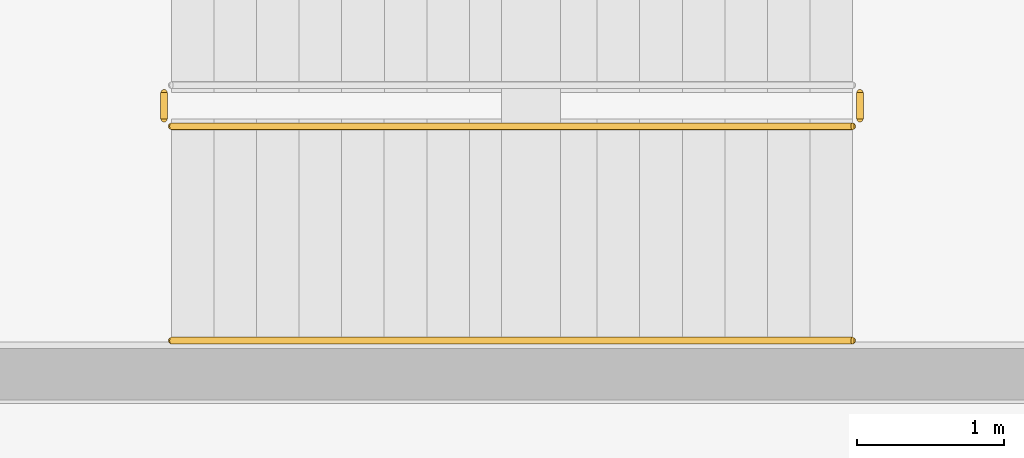
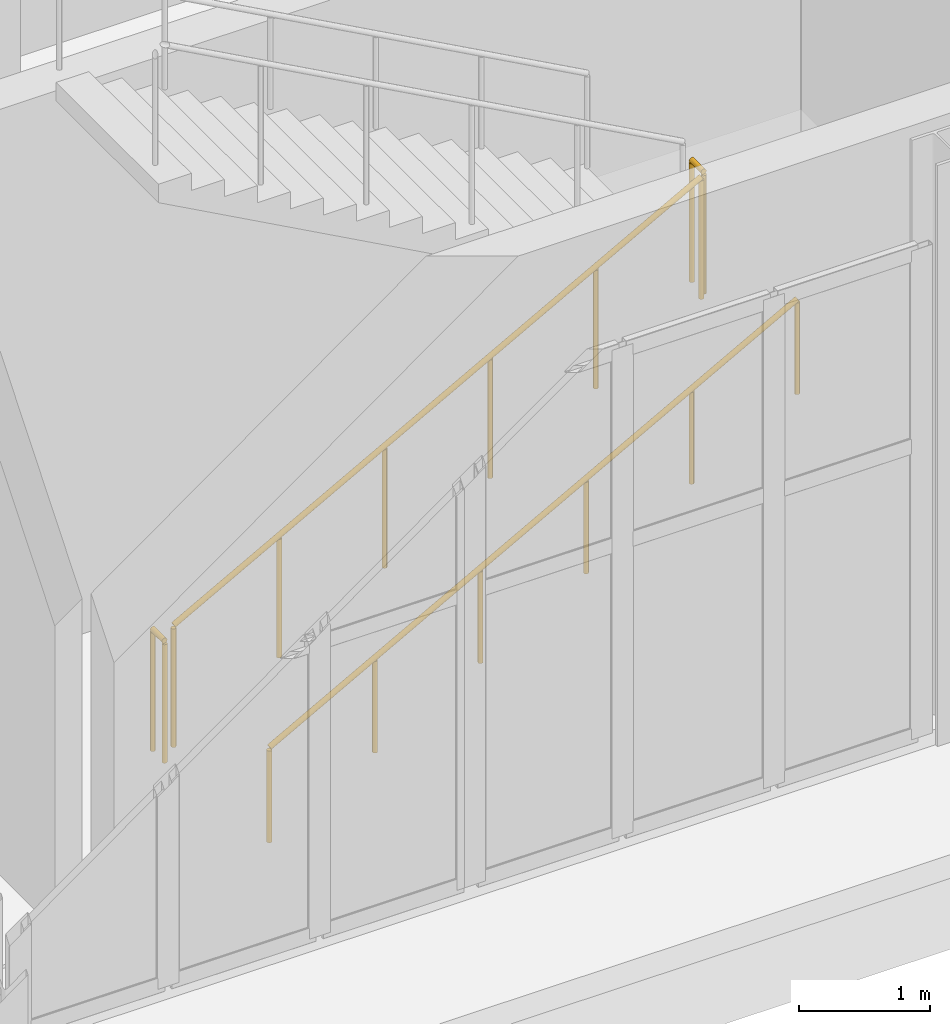
# One storey, part 88 of 95: 4 railings.
"""IFC4 building model written with IfcOpenShell, lengths in metres."""

from ifc_helpers import new_model, si_unit, direction, frame, origin, origin_2d, place, context, subcontext, project, spatial, circle, extrude, material, type_object, element, save


model = new_model("IFC4")

# Units and contexts
model_context = context("Model", 3, precision=1e-05, world=origin(), true_north=direction((0.0, 1.0)))
body_context = subcontext(model_context, "Body", "Model", "MODEL_VIEW")
ifc_project = project(units=[si_unit("LENGTHUNIT", "METRE"), si_unit("AREAUNIT", "SQUARE_METRE"), si_unit("VOLUMEUNIT", "CUBIC_METRE"), si_unit("PLANEANGLEUNIT", "RADIAN"), si_unit("MASSUNIT", "GRAM", prefix="KILO")], contexts=[model_context])

# Site, building, storey
site_placement = place(None, origin())
site = spatial("IfcSite", under=ifc_project, at=site_placement, CompositionType="ELEMENT")
building_placement = place(site_placement, origin())
building = spatial("IfcBuilding", under=site, at=building_placement, Name="Shengluoqiao Park Theatre", CompositionType="ELEMENT")
storey_placement = place(building_placement, origin())
storey = spatial("IfcBuildingStorey", under=building, at=storey_placement, Name="L00", CompositionType="ELEMENT", Elevation=0.0)

# Railings
ifc_material_1 = material(Name="Painted steel", Category="steel")
railing_type_1 = type_object("IfcRailingType", Name="INT-RL-STGRD", PredefinedType="GUARDRAIL", material=ifc_material_1)
railing_1_placement = place(storey_placement, frame((72.64990234375, 70.909912109375, 0.158935546875)))
element("IfcRailing", 1, at=railing_1_placement, inside=storey, type_object=railing_type_1, Name="L00 ST-11 stair guard 1", PredefinedType="GUARDRAIL", context=body_context, shape_type="SweptSolid", body=[
    extrude(circle(Radius=0.02392578125, at=origin_2d()), frame((0.0, 0.0, 1.1259765625), z_axis=(0.877097193626, 0.0, 0.480312932298), x_axis=(0.0, 1.0, 0.0)), (0.0, 0.0, 1.0), 5.290283203125),
    extrude(circle(Radius=0.02099609375, at=origin_2d()), origin(), (0.0, 0.0, 1.0), 1.101806640625),
    extrude(circle(Radius=0.02099609375, at=origin_2d()), frame((0.927978515625, 0.0, 0.50830078125)), (0.0, 0.0, 1.0), 1.101806640625),
    extrude(circle(Radius=0.02099609375, at=origin_2d()), frame((1.85595703125, 0.0, 1.016357421875)), (0.0, 0.0, 1.0), 1.101806640625),
    extrude(circle(Radius=0.02099609375, at=origin_2d()), frame((2.7841796875, 0.0, 1.524658203125)), (0.0, 0.0, 1.0), 1.101806640625),
    extrude(circle(Radius=0.02099609375, at=origin_2d()), frame((3.712158203125, 0.0, 2.03271484375)), (0.0, 0.0, 1.0), 1.101806640625),
    extrude(circle(Radius=0.02099609375, at=origin_2d()), frame((4.64013671875, 0.0, 2.541015625)), (0.0, 0.0, 1.0), 1.101806640625),
])
for number, where, name in (
    (2, (77.340087890625, 70.9599609375, 2.699951171875), "L00 ST-11 stair guard 2"),
    (3, (72.60009765625, 70.9599609375, 0.0), "L00 ST-11 stair guard 4"),
):
    element("IfcRailing", number, at=place(storey_placement, frame(where)), inside=storey, type_object=railing_type_1, Name=name, PredefinedType="GUARDRAIL", context=body_context, shape_type="SweptSolid", body=[
        extrude(circle(Radius=0.02392578125, at=origin_2d()), frame((0.0, 0.0, 1.1259765625), z_axis=(0.0, 1.0, 0.0), x_axis=(-1.0, 0.0, 0.0)), (0.0, 0.0, 1.0), 0.179931640625),
        extrude(circle(Radius=0.02099609375, at=origin_2d()), origin(), (0.0, 0.0, 1.0), 1.101806640625),
        extrude(circle(Radius=0.02099609375, at=origin_2d()), frame((0.0, 0.179931640625, 0.0)), (0.0, 0.0, 1.0), 1.101806640625),
    ])
ifc_material_2 = material(Name="Stainless steel 304", Category="steel")
railing_type_2 = type_object("IfcRailingType", Name="INT-RL-STHR", PredefinedType="HANDRAIL", material=ifc_material_2)
railing_2_placement = place(storey_placement, frame((72.64990234375, 69.449951171875, 0.158935546875)))
element("IfcRailing", 4, at=railing_2_placement, inside=storey, type_object=railing_type_2, Name="L00 ST-11 stair handrail 1", PredefinedType="HANDRAIL", context=body_context, shape_type="SweptSolid", body=[
    extrude(circle(Radius=0.02392578125, at=origin_2d()), frame((0.0, 0.0, 0.8759765625), z_axis=(0.877097193626, 0.0, 0.480312932298), x_axis=(0.0, 1.0, 0.0)), (0.0, 0.0, 1.0), 5.290283203125),
    extrude(circle(Radius=0.02099609375, at=origin_2d()), origin(), (0.0, 0.0, 1.0), 0.851806640625),
    extrude(circle(Radius=0.02099609375, at=origin_2d()), frame((0.927978515625, 0.0, 0.50830078125)), (0.0, 0.0, 1.0), 0.851806640625),
    extrude(circle(Radius=0.02099609375, at=origin_2d()), frame((1.85595703125, 0.0, 1.016357421875)), (0.0, 0.0, 1.0), 0.851806640625),
    extrude(circle(Radius=0.02099609375, at=origin_2d()), frame((2.7841796875, 0.0, 1.524658203125)), (0.0, 0.0, 1.0), 0.851806640625),
    extrude(circle(Radius=0.02099609375, at=origin_2d()), frame((3.712158203125, 0.0, 2.03271484375)), (0.0, 0.0, 1.0), 0.851806640625),
    extrude(circle(Radius=0.02099609375, at=origin_2d()), frame((4.64013671875, 0.0, 2.541015625)), (0.0, 0.0, 1.0), 0.851806640625),
])

save(model, "model.ifc")
